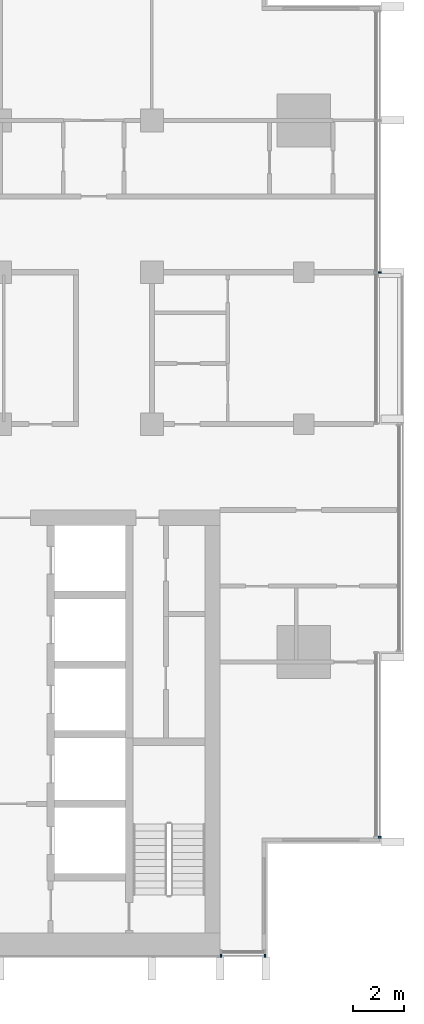
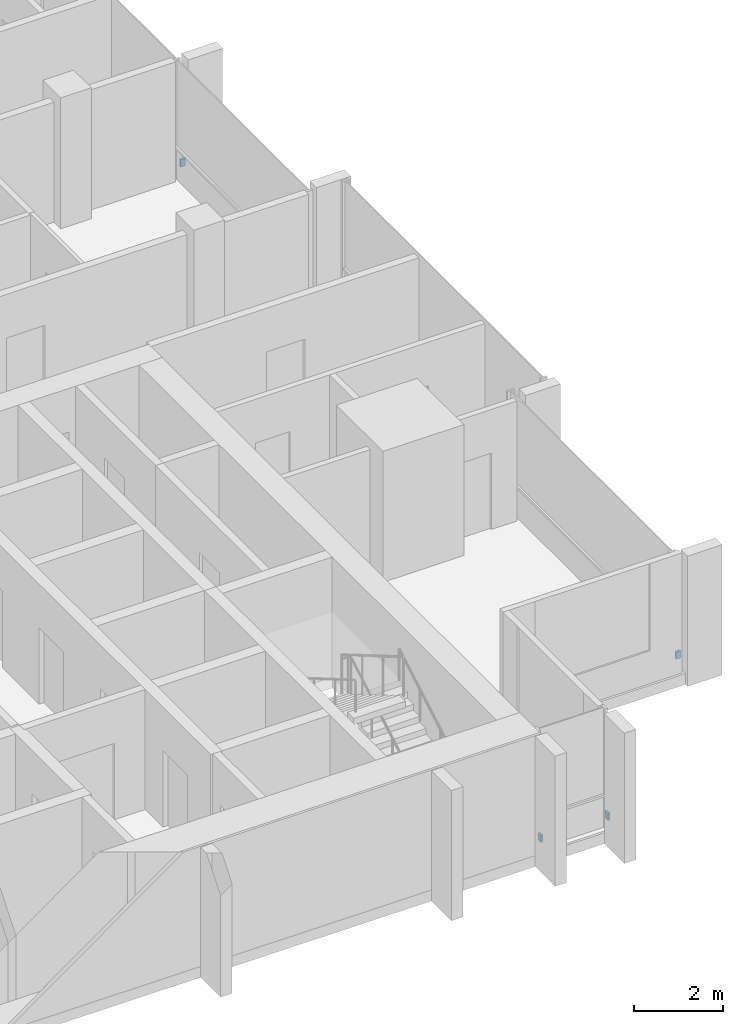
# One storey, part 13 of 16: 4 discrete accessories.
"""IFC4 building model written with IfcOpenShell, lengths in metres."""

from ifc_helpers import new_model, si_unit, direction, frame, origin, origin_2d, place, context, subcontext, project, spatial, rectangle, extrude, material, type_object, element, save


model = new_model("IFC4")

# Units and contexts
model_context = context("Model", 3, precision=1e-05, world=origin(), true_north=direction((0.0, 1.0)))
body_context = subcontext(model_context, "Body", "Model", "MODEL_VIEW")
ifc_project = project(units=[si_unit("LENGTHUNIT", "METRE"), si_unit("AREAUNIT", "SQUARE_METRE"), si_unit("VOLUMEUNIT", "CUBIC_METRE"), si_unit("PLANEANGLEUNIT", "RADIAN"), si_unit("MASSUNIT", "GRAM", prefix="KILO")], contexts=[model_context])

# Site, building, storey
site_placement = place(None, origin())
site = spatial("IfcSite", under=ifc_project, at=site_placement, CompositionType="ELEMENT")
building_placement = place(site_placement, origin())
building = spatial("IfcBuilding", under=site, at=building_placement, Name="Finial Court Residences", CompositionType="ELEMENT")
storey_placement = place(building_placement, frame((0.0, 0.0, 215.89990234375)))
storey = spatial("IfcBuildingStorey", under=building, at=storey_placement, Name="L54", CompositionType="ELEMENT", Elevation=215.89990234375)

# Discrete accessories
ifc_material = material(Name="Stainless steel 316", Category="steel")
discrete_accessory_type = type_object("IfcDiscreteAccessoryType", Name="Fin bracket, stainless steel 60 x 122 x 200", PredefinedType="BRACKET", material=ifc_material)
for number, where, z_axis, x_axis, name in (
    (1, (19.498779296875, -20.820068359375, 0.30029296875), (0.0, 0.0, 1.0), (1.0, 0.0, 0.0), "E-L54-FIN-E7-BRK"),
    (2, (19.498779296875, 1.5, 0.30029296875), (0.0, 0.0, 1.0), (1.0, 0.0, 0.0), "E-L54-FIN-E10-BRK"),
):
    element("IfcDiscreteAccessory", number, at=place(storey_placement, frame(where, z_axis=z_axis, x_axis=x_axis)), inside=storey, type_object=discrete_accessory_type, Name=name, PredefinedType="BRACKET", context=body_context, shape_type="SweptSolid", body=[
        extrude(rectangle(XDim=0.12255859375, YDim=0.06005859375, at=origin_2d()), origin(), (0.0, 0.0, 1.0), 0.199951171875),
    ])
for number, where, z_axis, x_axis, name in (
    (3, (13.22998046875, -25.498779296875, 0.30029296875), (0.0, 0.0, 1.0), (1.0, 0.0, 0.0), "E-L54-FIN-S19-BRK"),
    (4, (14.969970703125, -25.498779296875, 0.30029296875), (0.0, 0.0, 1.0), (1.0, 0.0, 0.0), "E-L54-FIN-S20-BRK"),
):
    element("IfcDiscreteAccessory", number, at=place(storey_placement, frame(where, z_axis=z_axis, x_axis=x_axis)), inside=storey, type_object=discrete_accessory_type, Name=name, PredefinedType="BRACKET", context=body_context, shape_type="SweptSolid", body=[
        extrude(rectangle(XDim=0.06005859375, YDim=0.12255859375, at=origin_2d()), origin(), (0.0, 0.0, 1.0), 0.199951171875),
    ])

save(model, "model.ifc")
